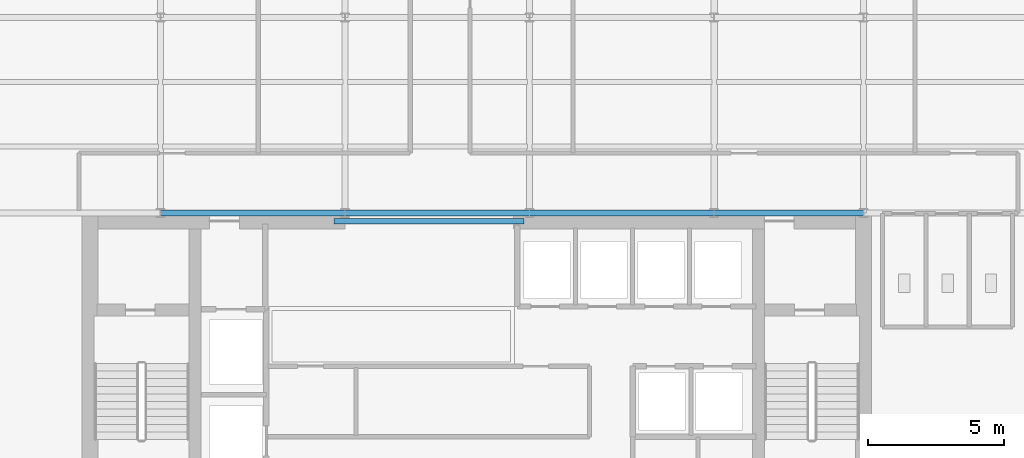
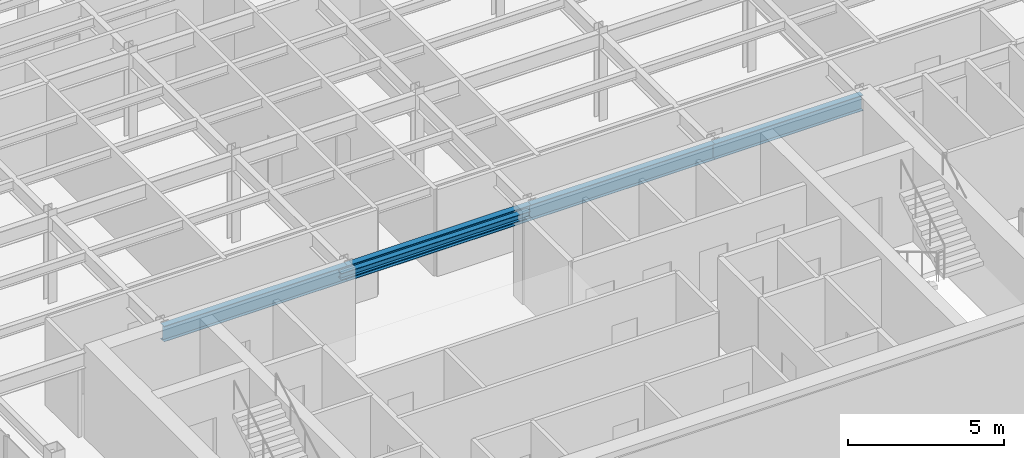
# One storey, part 4 of 22: 5 beams.
"""IFC4 building model written with IfcOpenShell, lengths in metres."""

from ifc_helpers import new_model, si_unit, derived_unit, direction, frame, origin, origin_2d, place, context, subcontext, project, spatial, i_section, extrude, source, transform, mapped, material, material_profile, profile_set, type_object, element, save


model = new_model("IFC4")

# Units and contexts
model_context = context("Model", 3, precision=1e-05, world=origin(), true_north=direction((0.0, 1.0)))
body_context = subcontext(model_context, "Body", "Model", "MODEL_VIEW")
ifc_project = project(units=[si_unit("LENGTHUNIT", "METRE"), si_unit("AREAUNIT", "SQUARE_METRE"), si_unit("VOLUMEUNIT", "CUBIC_METRE"), si_unit("PLANEANGLEUNIT", "RADIAN"), si_unit("MASSUNIT", "GRAM", prefix="KILO"), derived_unit("THERMALTRANSMITTANCEUNIT", [(si_unit("POWERUNIT", "WATT"), 1), (si_unit("LENGTHUNIT", "METRE"), -2), (si_unit("THERMODYNAMICTEMPERATUREUNIT", "KELVIN"), -1)])], contexts=[model_context])

# Site, building, storey
site_placement = place(None, origin())
site = spatial("IfcSite", under=ifc_project, at=site_placement, CompositionType="ELEMENT")
building_placement = place(site_placement, origin())
building = spatial("IfcBuilding", under=site, at=building_placement, Name="Skarnbrae Concourse Arena and Tower", CompositionType="ELEMENT")
storey_placement = place(building_placement, frame((0.0, 0.0, 192.25)))
storey = spatial("IfcBuildingStorey", under=building, at=storey_placement, Name="L49", CompositionType="ELEMENT", Elevation=192.25)

# Beams
ifc_material = material(Name="Steel CSA G40.21 350W", Category="steel")
ifc_material_profile_1 = material_profile(ifc_material, i_section(OverallWidth=0.202880859375, OverallDepth=0.251953125, WebThickness=0.008056640625, FlangeThickness=0.013427734375, at=origin_2d()), Name="W250X58")
ifc_profile_set_1 = profile_set([ifc_material_profile_1], Name="Steel CSA G40.21 350W")
beam_type_1 = type_object("IfcBeamType", Name="BM-LINTEL-W250X58", PredefinedType="LINTEL", material=ifc_profile_set_1)
shared_shape_1 = source(origin(), body_context, "Body", "SweptSolid", [
    extrude(i_section(OverallWidth=0.202880859375, OverallDepth=0.251953125, WebThickness=0.008056640625, FlangeThickness=0.013427734375, at=origin_2d()), origin(), (0.0, 0.0, 1.0), 7.0),
])
beam_1_placement = place(storey_placement, frame((14.0, 13.699951171875, 3.27392578125), z_axis=(1.0, 0.0, 0.0), x_axis=(0.0, 1.0, 0.0)))
element("IfcBeam", 1, at=beam_1_placement, inside=storey, type_object=beam_type_1, Name="L49 Core portal coupling lintel", PredefinedType="LINTEL", context=body_context, shape_type="MappedRepresentation", body=[
    mapped(shared_shape_1, transform((0.0, 0.0, 0.0))),
])
ifc_material_profile_2 = material_profile(ifc_material, i_section(OverallWidth=0.22802734375, OverallDepth=0.60791015625, WebThickness=0.01123046875, FlangeThickness=0.017333984375, at=origin_2d()), Name="W610X113")
ifc_profile_set_2 = profile_set([ifc_material_profile_2], Name="Steel CSA G40.21 350W")
beam_type_2 = type_object("IfcBeamType", Name="BM-GIRD-W610X113", PredefinedType="BEAM", material=ifc_profile_set_2)
shared_shape_2 = source(origin(), body_context, "Body", "SweptSolid", [
    extrude(i_section(OverallWidth=0.22802734375, OverallDepth=0.60791015625, WebThickness=0.01123046875, FlangeThickness=0.017333984375, at=origin_2d()), origin(), (0.0, 0.0, 1.0), 6.7998046875),
])
beam_2_placement = place(storey_placement, frame((7.60009765625, 14.0, 3.095947265625), z_axis=(1.0, 0.0, 0.0), x_axis=(0.0, 1.0, 0.0)))
element("IfcBeam", 2, at=beam_2_placement, inside=storey, type_object=beam_type_2, Name="L49 Primary E-W girder Y14.0-2", PredefinedType="BEAM", context=body_context, shape_type="MappedRepresentation", body=[
    mapped(shared_shape_2, transform((0.0, 0.0, 0.0))),
])
shared_shape_3 = source(origin(), body_context, "Body", "SweptSolid", [
    extrude(i_section(OverallWidth=0.22802734375, OverallDepth=0.60791015625, WebThickness=0.01123046875, FlangeThickness=0.017333984375, at=origin_2d()), origin(), (0.0, 0.0, 1.0), 6.800048828125),
])
for number, where, z_axis, x_axis, name in (
    (3, (14.39990234375, 14.0, 3.095947265625), (1.0, 0.0, 0.0), (0.0, 1.0, 0.0), "L49 Primary E-W girder Y14.0-3"),
    (4, (21.199951171875, 14.0, 3.095947265625), (1.0, 0.0, 0.0), (0.0, 1.0, 0.0), "L49 Primary E-W girder Y14.0-4"),
):
    element("IfcBeam", number, at=place(storey_placement, frame(where, z_axis=z_axis, x_axis=x_axis)), inside=storey, type_object=beam_type_2, Name=name, PredefinedType="BEAM", context=body_context, shape_type="MappedRepresentation", body=[
        mapped(shared_shape_3, transform((0.0, 0.0, 0.0))),
    ])
shared_shape_4 = source(origin(), body_context, "Body", "SweptSolid", [
    extrude(i_section(OverallWidth=0.22802734375, OverallDepth=0.60791015625, WebThickness=0.01123046875, FlangeThickness=0.017333984375, at=origin_2d()), origin(), (0.0, 0.0, 1.0), 5.5),
])
beam_3_placement = place(storey_placement, frame((28.0, 14.0, 3.095947265625), z_axis=(1.0, 0.0, 0.0), x_axis=(0.0, 1.0, 0.0)))
element("IfcBeam", 5, at=beam_3_placement, inside=storey, type_object=beam_type_2, Name="L49 Primary E-W girder Y14.0-5", PredefinedType="BEAM", context=body_context, shape_type="MappedRepresentation", body=[
    mapped(shared_shape_4, transform((0.0, 0.0, 0.0))),
])

save(model, "model.ifc")
